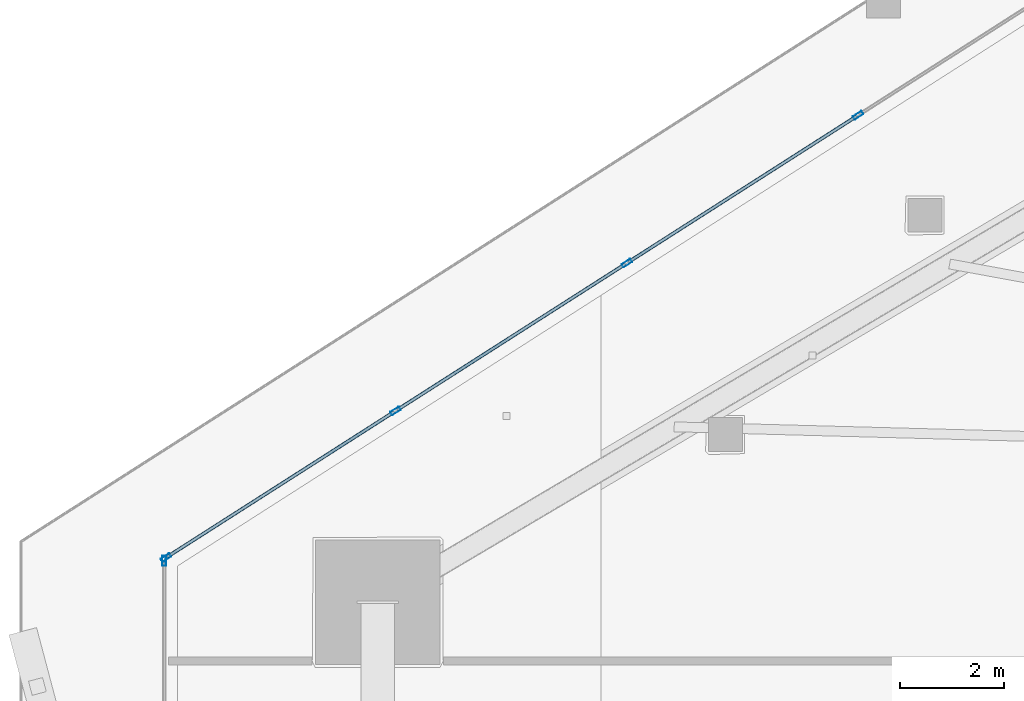
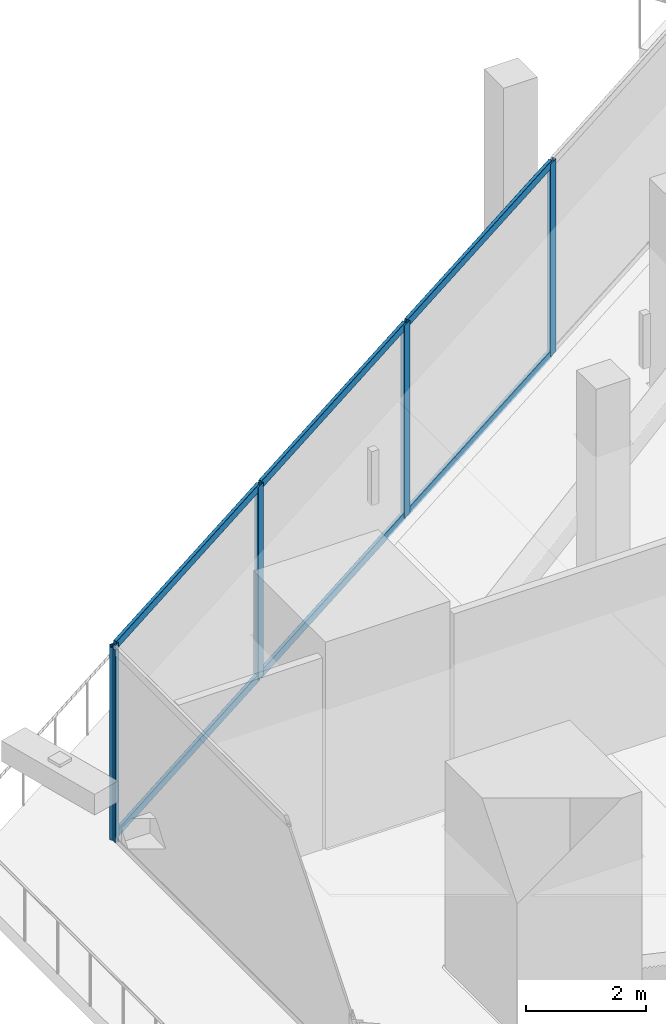
# One storey, part 12 of 47: 11 members, 2 elements without a shape of their own.
"""IFC4 building model written with IfcOpenShell, lengths in metres."""

from ifc_helpers import new_model, si_unit, direction, frame, origin, origin_2d, place, context, subcontext, project, spatial, hollow_rectangle, extrude, material, layer, layer_set, material_profile, profile_set, type_object, element, aggregate, save


model = new_model("IFC4")

# Units and contexts
model_context = context("Model", 3, precision=1e-05, world=origin(), true_north=direction((0.0, 1.0)))
body_context = subcontext(model_context, "Body", "Model", "MODEL_VIEW")
ifc_project = project(units=[si_unit("LENGTHUNIT", "METRE"), si_unit("AREAUNIT", "SQUARE_METRE"), si_unit("VOLUMEUNIT", "CUBIC_METRE"), si_unit("PLANEANGLEUNIT", "RADIAN"), si_unit("MASSUNIT", "GRAM", prefix="KILO")], contexts=[model_context])

# Site, building, storey
site_placement = place(None, origin())
site = spatial("IfcSite", under=ifc_project, at=site_placement, CompositionType="ELEMENT")
building_placement = place(site_placement, origin())
building = spatial("IfcBuilding", under=site, at=building_placement, Name="Qorvath Tower", CompositionType="ELEMENT")
storey_placement = place(building_placement, frame((0.0, 0.0, 74.39990234375)))
storey = spatial("IfcBuildingStorey", under=building, at=storey_placement, Name="L16", CompositionType="ELEMENT", Elevation=74.39990234375)

# Curtain wall, members
ifc_material_1 = material(Name="Anodised aluminium and triple low-E glass", Category="aluminium")
ifc_layer = layer(ifc_material_1, 0.179931640625)
ifc_layer_set = layer_set([ifc_layer], Name="CW-SYS-5")
curtain_wall_type = type_object("IfcCurtainWallType", Name="CW-SYS-5", PredefinedType="NOTDEFINED", material=ifc_layer_set)
curtain_wall_1_placement = place(storey_placement, origin())
curtain_wall_1 = element("IfcCurtainWall", 1, at=curtain_wall_1_placement, inside=storey, type_object=curtain_wall_type, Name="Curtain Wall CW-5 CW-T-L16-4.1", PredefinedType="NOTDEFINED")
ifc_material_2 = material(Name="Anodised aluminium 6063-T6", Category="aluminium")
ifc_material_profile_1 = material_profile(ifc_material_2, hollow_rectangle(XDim=0.074951171875, YDim=0.199951171875, WallThickness=0.00390625, InnerFilletRadius=0.00390625, OuterFilletRadius=0.008056640625, at=origin_2d()), Name="CWM 200x75")
ifc_profile_set_1 = profile_set([ifc_material_profile_1], Name="Anodised aluminium 6063-T6")
member_type_1 = type_object("IfcMemberType", Name="CWM-200", PredefinedType="MULLION", material=ifc_profile_set_1)
member_1_placement = place(storey_placement, frame((-46.02392578125, 12.576904296875, 0.0), z_axis=(0.0, 0.0, 1.0), x_axis=(0.538533373675, -0.842604180763, 0.0)))
member_1 = element("IfcMember", 2, at=member_1_placement, type_object=member_type_1, Name="CW-5 mullion 7", PredefinedType="MULLION", context=body_context, shape_type="SweptSolid", body=[
    extrude(hollow_rectangle(XDim=0.074951171875, YDim=0.199951171875, WallThickness=0.00390625, InnerFilletRadius=0.00390625, OuterFilletRadius=0.008056640625, at=origin_2d()), origin(), (0.0, 0.0, 1.0), 3.920166015625),
])
member_2_placement = place(storey_placement, frame((-50.481201171875, 9.72802734375, 0.0), z_axis=(0.0, 0.0, 1.0), x_axis=(0.538533373675, -0.842604180763, 0.0)))
member_2 = element("IfcMember", 3, at=member_2_placement, type_object=member_type_1, Name="CW-5 mullion 8", PredefinedType="MULLION", context=body_context, shape_type="SweptSolid", body=[
    extrude(hollow_rectangle(XDim=0.074951171875, YDim=0.199951171875, WallThickness=0.00390625, InnerFilletRadius=0.00390625, OuterFilletRadius=0.008056640625, at=origin_2d()), origin(), (0.0, 0.0, 1.0), 3.920166015625),
])
member_3_placement = place(storey_placement, frame((-54.9384765625, 6.87939453125, 0.0), z_axis=(0.0, 0.0, 1.0), x_axis=(0.538533373675, -0.842604180763, 0.0)))
member_3 = element("IfcMember", 4, at=member_3_placement, type_object=member_type_1, Name="CW-5 mullion 9", PredefinedType="MULLION", context=body_context, shape_type="SweptSolid", body=[
    extrude(hollow_rectangle(XDim=0.074951171875, YDim=0.199951171875, WallThickness=0.00390625, InnerFilletRadius=0.00390625, OuterFilletRadius=0.008056640625, at=origin_2d()), origin(), (0.0, 0.0, 1.0), 3.920166015625),
])
member_4_placement = place(storey_placement, frame((-59.3642578125, 4.05078125, 0.0), z_axis=(0.0, 0.0, 1.0), x_axis=(0.538533373675, -0.842604180763, 0.0)))
member_4 = element("IfcMember", 5, at=member_4_placement, type_object=member_type_1, Name="CW-5 mullion 10", PredefinedType="MULLION", context=body_context, shape_type="SweptSolid", body=[
    extrude(hollow_rectangle(XDim=0.074951171875, YDim=0.199951171875, WallThickness=0.00390625, InnerFilletRadius=0.00390625, OuterFilletRadius=0.008056640625, at=origin_2d()), origin(), (0.0, 0.0, 1.0), 3.920166015625),
])

# Curtain wall, member
curtain_wall_2_placement = place(storey_placement, origin())
curtain_wall_2 = element("IfcCurtainWall", 6, at=curtain_wall_2_placement, inside=storey, type_object=curtain_wall_type, Name="Curtain Wall CW-5 CW-T-L16-5.1", PredefinedType="NOTDEFINED")
member_5_placement = place(storey_placement, frame((-59.395751953125, 3.992919921875, 0.0), z_axis=(0.0, 0.0, 1.0), x_axis=(1.0, 0.0, 0.0)))
member_5 = element("IfcMember", 7, at=member_5_placement, type_object=member_type_1, Name="CW-5 mullion 1", PredefinedType="MULLION", context=body_context, shape_type="SweptSolid", body=[
    extrude(hollow_rectangle(XDim=0.074951171875, YDim=0.199951171875, WallThickness=0.00390625, InnerFilletRadius=0.00390625, OuterFilletRadius=0.008056640625, at=origin_2d()), origin(), (0.0, 0.0, 1.0), 3.920166015625),
])
aggregate(curtain_wall_2, [member_5])

# Member
ifc_material_3 = material(Name="Anodised aluminium 6063-T6", Category="aluminium")
ifc_material_profile_2 = material_profile(ifc_material_3, hollow_rectangle(XDim=0.06494140625, YDim=0.159912109375, WallThickness=0.00341796875, InnerFilletRadius=0.00341796875, OuterFilletRadius=0.007080078125, at=origin_2d()), Name="CWT 160x65")
ifc_profile_set_2 = profile_set([ifc_material_profile_2], Name="Anodised aluminium 6063-T6")
member_type_2 = type_object("IfcMemberType", Name="CWT-160", PredefinedType="USERDEFINED", material=ifc_profile_set_2)
member_6_placement = place(storey_placement, frame((-46.055419921875, 12.556640625, 0.032470703125), z_axis=(-0.842605385104, -0.538531489324, 0.0), x_axis=(0.538531489324, -0.842605385104, 0.0)))
member_6 = element("IfcMember", 8, at=member_6_placement, type_object=member_type_2, Name="CW-5 transom 7.1", ObjectType="TRANSOM", PredefinedType="USERDEFINED", context=body_context, shape_type="SweptSolid", body=[
    extrude(hollow_rectangle(XDim=0.06494140625, YDim=0.159912109375, WallThickness=0.00341796875, InnerFilletRadius=0.00341796875, OuterFilletRadius=0.007080078125, at=origin_2d()), origin(), (0.0, 0.0, 1.0), 5.21484375),
])

member_7_placement = place(storey_placement, frame((-46.055419921875, 12.556640625, 3.8876953125), z_axis=(-0.842605385104, -0.538531489324, 0.0), x_axis=(0.538531489324, -0.842605385104, 0.0)))
member_7 = element("IfcMember", 9, at=member_7_placement, type_object=member_type_2, Name="CW-5 transom 7.2", ObjectType="TRANSOM", PredefinedType="USERDEFINED", context=body_context, shape_type="SweptSolid", body=[
    extrude(hollow_rectangle(XDim=0.06494140625, YDim=0.159912109375, WallThickness=0.00341796875, InnerFilletRadius=0.00341796875, OuterFilletRadius=0.007080078125, at=origin_2d()), origin(), (0.0, 0.0, 1.0), 5.21484375),
])

member_8_placement = place(storey_placement, frame((-50.5126953125, 9.7080078125, 0.032470703125), z_axis=(-0.842597719137, -0.538543483579, 0.0), x_axis=(0.538543483579, -0.842597719137, 0.0)))
member_8 = element("IfcMember", 10, at=member_8_placement, type_object=member_type_2, Name="CW-5 transom 8.1", ObjectType="TRANSOM", PredefinedType="USERDEFINED", context=body_context, shape_type="SweptSolid", body=[
    extrude(hollow_rectangle(XDim=0.06494140625, YDim=0.159912109375, WallThickness=0.00341796875, InnerFilletRadius=0.00341796875, OuterFilletRadius=0.007080078125, at=origin_2d()), origin(), (0.0, 0.0, 1.0), 5.215087890625),
])

member_9_placement = place(storey_placement, frame((-50.5126953125, 9.7080078125, 3.8876953125), z_axis=(-0.842597719137, -0.538543483579, 0.0), x_axis=(0.538543483579, -0.842597719137, 0.0)))
member_9 = element("IfcMember", 11, at=member_9_placement, type_object=member_type_2, Name="CW-5 transom 8.2", ObjectType="TRANSOM", PredefinedType="USERDEFINED", context=body_context, shape_type="SweptSolid", body=[
    extrude(hollow_rectangle(XDim=0.06494140625, YDim=0.159912109375, WallThickness=0.00341796875, InnerFilletRadius=0.00341796875, OuterFilletRadius=0.007080078125, at=origin_2d()), origin(), (0.0, 0.0, 1.0), 5.215087890625),
])

member_10_placement = place(storey_placement, frame((-54.969970703125, 6.859130859375, 0.032470703125), z_axis=(-0.842595813472, -0.538546465144, 0.0), x_axis=(0.538546465144, -0.842595813472, 0.0)))
member_10 = element("IfcMember", 12, at=member_10_placement, type_object=member_type_2, Name="CW-5 transom 9.1", ObjectType="TRANSOM", PredefinedType="USERDEFINED", context=body_context, shape_type="SweptSolid", body=[
    extrude(hollow_rectangle(XDim=0.06494140625, YDim=0.159912109375, WallThickness=0.00341796875, InnerFilletRadius=0.00341796875, OuterFilletRadius=0.007080078125, at=origin_2d()), origin(), (0.0, 0.0, 1.0), 5.177490234375),
])

member_11_placement = place(storey_placement, frame((-54.969970703125, 6.859130859375, 3.8876953125), z_axis=(-0.842595813472, -0.538546465144, 0.0), x_axis=(0.538546465144, -0.842595813472, 0.0)))
member_11 = element("IfcMember", 13, at=member_11_placement, type_object=member_type_2, Name="CW-5 transom 9.2", ObjectType="TRANSOM", PredefinedType="USERDEFINED", context=body_context, shape_type="SweptSolid", body=[
    extrude(hollow_rectangle(XDim=0.06494140625, YDim=0.159912109375, WallThickness=0.00341796875, InnerFilletRadius=0.00341796875, OuterFilletRadius=0.007080078125, at=origin_2d()), origin(), (0.0, 0.0, 1.0), 5.177490234375),
])

aggregate(curtain_wall_1, [member_1, member_2, member_3, member_4, member_6, member_7, member_8, member_9, member_10, member_11])

save(model, "model.ifc")
